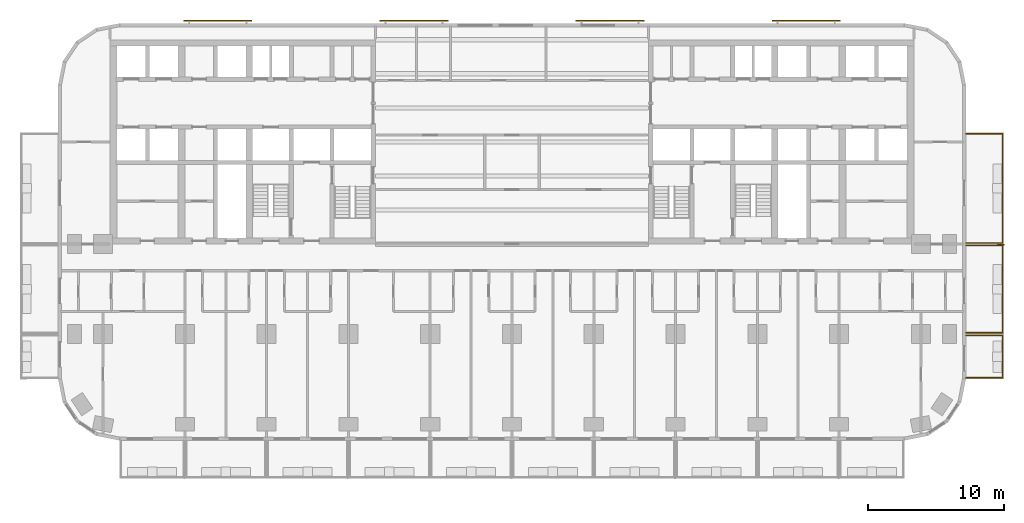
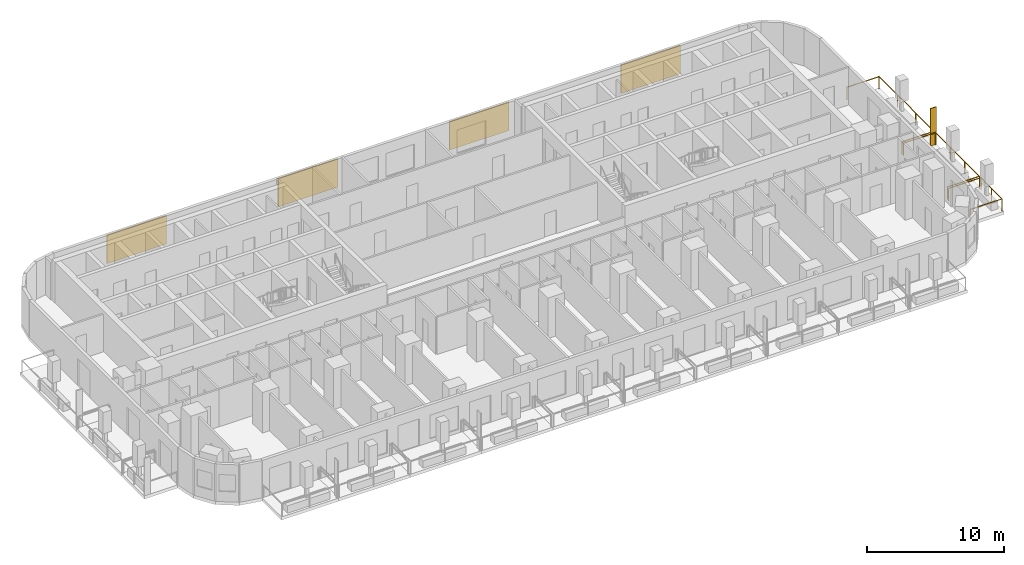
# One storey, part 14 of 15: 5 shading devices, 3 railings.
"""IFC4 building model written with IfcOpenShell, lengths in metres."""

import ifcopenshell
import ifcopenshell.guid

model = None  # the IFC model being written
_history = None  # IfcOwnerHistory: only IFC2X3 demands one
_inside = {}  # id of a spatial element -> (the spatial element, [elements in it])
_under = {}  # id of a project, library or spatial element -> (it, [spatial elements below it])
_declared = {}  # id of a project -> (the project, [libraries it declares])
_typed = {}  # id of a type object -> (the type object, [elements of that type])
_made_of = {}  # id of a material, layer set ... -> (it, [elements and type objects made of it])


def new_model(schema):
    """Start an empty IFC model of exactly this schema.

    Asked for "IFC4X3", IfcOpenShell would pick the latest addendum, in which some entities
    have other attributes; the version numbers below select the first issue.
    IFC2X3 requires an IfcOwnerHistory on every rooted entity: one is made here for all.
    """
    global model, _history
    if schema == "IFC4X3":
        model = ifcopenshell.file(schema_version=(4, 3, 0, 0))
    else:
        model = ifcopenshell.file(schema=schema)
    _inside.clear()
    _under.clear()
    _declared.clear()
    _typed.clear()
    _made_of.clear()
    _history = None
    if model.schema == "IFC2X3":
        org = make("IfcOrganization", Name="unknown")
        user = make(
            "IfcPersonAndOrganization",
            ThePerson=make("IfcPerson", FamilyName="unknown"),
            TheOrganization=org,
        )
        app = make(
            "IfcApplication",
            ApplicationDeveloper=org,
            Version="unknown",
            ApplicationFullName="unknown",
            ApplicationIdentifier="unknown",
        )
        _history = make(
            "IfcOwnerHistory",
            OwningUser=user,
            OwningApplication=app,
            ChangeAction="ADDED",
            CreationDate=0,
        )
    return model


def make(cls, **values):
    """One entity of the class cls with the attributes given. An attribute that is None is left unset."""
    return model.create_entity(
        cls, **{name: value for name, value in values.items() if value is not None}
    )


def rooted(cls, **values):
    """An entity with a GlobalId (a new one), such as an element, a storey or a relation."""
    return make(cls, GlobalId=ifcopenshell.guid.new(), OwnerHistory=_history, **values)


def si_unit(unit_type, name, prefix=None):
    """IfcSIUnit, for example si_unit("LENGTHUNIT", "METRE", prefix="MILLI")."""
    return make("IfcSIUnit", UnitType=unit_type, Prefix=prefix, Name=name)


def assignment(units):
    """IfcUnitAssignment: the units of a project."""
    return None if units is None else make("IfcUnitAssignment", Units=units)


def point(xyz):
    """IfcCartesianPoint."""
    return None if xyz is None else make("IfcCartesianPoint", Coordinates=xyz)


def direction(xyz):
    """IfcDirection."""
    return None if xyz is None else make("IfcDirection", DirectionRatios=xyz)


def frame(location, z_axis=None, x_axis=None):
    """IfcAxis2Placement3D, a coordinate frame: its origin and axes. An axis left out is left unset."""
    return make(
        "IfcAxis2Placement3D",
        Location=point(location),
        Axis=direction(z_axis),
        RefDirection=direction(x_axis),
    )


def frame_2d(location, x_axis=None):
    """IfcAxis2Placement2D, a coordinate frame in the plane: its origin and x axis."""
    return make(
        "IfcAxis2Placement2D", Location=point(location), RefDirection=direction(x_axis)
    )


def origin():
    """The frame at (0, 0, 0) with its axes left unset."""
    return frame((0.0, 0.0, 0.0))


def origin_2d():
    """The frame at (0, 0) in the plane with its x axis left unset."""
    return frame_2d((0.0, 0.0))


def place(relative_to, where):
    """IfcLocalPlacement: puts the frame where relative to a parent placement (None: the world)."""
    return make(
        "IfcLocalPlacement", PlacementRelTo=relative_to, RelativePlacement=where
    )


def context(
    kind, dimensions, precision=None, world=None, true_north=None, identifier=None
):
    """IfcGeometricRepresentationContext, for example the 3D "Model" context."""
    return make(
        "IfcGeometricRepresentationContext",
        ContextIdentifier=identifier,
        ContextType=kind,
        CoordinateSpaceDimension=dimensions,
        Precision=precision,
        WorldCoordinateSystem=world,
        TrueNorth=true_north,
    )


def subcontext(parent, identifier, kind, view, scale=None):
    """IfcGeometricRepresentationSubContext, for example "Body" below "Model"."""
    return make(
        "IfcGeometricRepresentationSubContext",
        ContextIdentifier=identifier,
        ContextType=kind,
        ParentContext=parent,
        TargetScale=scale,
        TargetView=view,
    )


def project(units=None, contexts=None):
    """IfcProject with its units and contexts."""
    return rooted(
        "IfcProject",
        Name="project",
        RepresentationContexts=contexts,
        UnitsInContext=assignment(units),
    )


def spatial(cls, under=None, at=None, **own):
    """A site, building, storey or space (cls), placed at a placement, below another one or the project."""
    s = rooted(cls, ObjectPlacement=at, **own)
    if under is not None:
        _under.setdefault(under.id(), (under, []))[1].append(s)
    return s


def profile(cls, at=None, kind="AREA", **sizes):
    """A parametric profile (cls). Its sizes go by their IFC names, for example OverallWidth=200.0."""
    return make(cls, ProfileType=kind, Position=at, **sizes)


def rectangle(**sizes):
    """IfcRectangleProfileDef."""
    return profile("IfcRectangleProfileDef", **sizes)


def circle(**sizes):
    """IfcCircleProfileDef."""
    return profile("IfcCircleProfileDef", **sizes)


def extrude(swept, where, along, depth):
    """IfcExtrudedAreaSolid: the profile swept, set in the frame where, extruded along a direction by depth."""
    return make(
        "IfcExtrudedAreaSolid",
        SweptArea=swept,
        Position=where,
        ExtrudedDirection=direction(along),
        Depth=depth,
    )


def shape(context_of_items, identifier, shape_type, items):
    """IfcShapeRepresentation: the items that make up one representation, for example the "Body"."""
    return make(
        "IfcShapeRepresentation",
        ContextOfItems=context_of_items,
        RepresentationIdentifier=identifier,
        RepresentationType=shape_type,
        Items=items,
    )


def material(Name=None, Category=None):
    """IfcMaterial."""
    return make("IfcMaterial", Name=Name, Category=Category)


def layer(
    of_material, thickness, ventilated=None, Name=None, Category=None, Priority=None
):
    """IfcMaterialLayer: one layer of a wall or slab, of a material (None: an air gap)."""
    return make(
        "IfcMaterialLayer",
        Material=of_material,
        LayerThickness=thickness,
        IsVentilated=ventilated,
        Name=Name,
        Category=Category,
        Priority=Priority,
    )


def layer_set(layers, Name=None):
    """IfcMaterialLayerSet."""
    return make("IfcMaterialLayerSet", MaterialLayers=layers, LayerSetName=Name)


def made_of(thing, what):
    """Note that an element or type object is made of a material, layer set ...; save() writes the relation."""
    if what is not None:
        _made_of.setdefault(what.id(), (what, []))[1].append(thing)
    return thing


def type_object(cls, material=None, **own):
    """A type object (cls), such as IfcWallType, which elements share."""
    return made_of(rooted(cls, **own), material)


def element(
    cls,
    number,
    at=None,
    inside=None,
    cuts=None,
    type_object=None,
    material=None,
    context=None,
    identifier="Body",
    shape_type=None,
    held_by="IfcProductDefinitionShape",
    body=None,
    shapes=None,
    **own,
):
    """One element of the class cls, such as IfcWall. Its Tag is "e" and its number.

    at: its placement. inside: the storey or other place that contains it. cuts: it is an
    opening in that element (IfcRelVoidsElement). A single representation is given by context,
    identifier, shape_type and body (its items); several are given by shapes. held_by: the class
    of the entity that holds the representations. save() writes the other relations.
    """
    e = rooted(cls, Tag="e%d" % number, ObjectPlacement=at, **own)
    if body is not None:
        shapes = [shape(context, identifier, shape_type, body)]
    if shapes is not None:
        e.Representation = make(held_by, Representations=shapes)
    if inside is not None:
        _inside.setdefault(inside.id(), (inside, []))[1].append(e)
    if cuts is not None:
        rooted(
            "IfcRelVoidsElement", RelatingBuildingElement=cuts, RelatedOpeningElement=e
        )
    if type_object is not None:
        _typed.setdefault(type_object.id(), (type_object, []))[1].append(e)
    return made_of(e, material)


def aggregate(whole, parts):
    """IfcRelAggregates: a whole, such as a stair, and the parts it consists of."""
    return rooted("IfcRelAggregates", RelatingObject=whole, RelatedObjects=parts)


def save(model, path):
    """Write the relations noted so far, then the file.

    IfcRelAggregates (storeys below a building ...), IfcRelContainedInSpatialStructure (elements
    in a storey), IfcRelDefinesByType, IfcRelAssociatesMaterial and IfcRelDeclares: one each for
    every whole, place, type object, material and project.
    """
    for whole, parts in _under.values():
        aggregate(whole, parts)
    for where, things in _inside.values():
        rooted(
            "IfcRelContainedInSpatialStructure",
            RelatedElements=things,
            RelatingStructure=where,
        )
    for kind, things in _typed.values():
        rooted("IfcRelDefinesByType", RelatedObjects=things, RelatingType=kind)
    for what, things in _made_of.values():
        rooted("IfcRelAssociatesMaterial", RelatedObjects=things, RelatingMaterial=what)
    for by, libraries in _declared.values():
        rooted("IfcRelDeclares", RelatingContext=by, RelatedDefinitions=libraries)
    model.write(path)


model = new_model("IFC4")

# Units and contexts
model_context = context("Model", 3, precision=1e-05, world=origin(), true_north=direction((0.0, 1.0)))
body_context = subcontext(model_context, "Body", "Model", "MODEL_VIEW")
ifc_project = project(units=[si_unit("LENGTHUNIT", "METRE"), si_unit("AREAUNIT", "SQUARE_METRE"), si_unit("VOLUMEUNIT", "CUBIC_METRE"), si_unit("PLANEANGLEUNIT", "RADIAN"), si_unit("MASSUNIT", "GRAM", prefix="KILO")], contexts=[model_context])

# Site, building, storey
site_placement = place(None, origin())
site = spatial("IfcSite", under=ifc_project, at=site_placement, CompositionType="ELEMENT")
building_placement = place(site_placement, origin())
building = spatial("IfcBuilding", under=site, at=building_placement, Name="Torana Hotel and Residences", CompositionType="ELEMENT")
storey_placement = place(building_placement, frame((0.0, 0.0, 27.60009765625)))
storey = spatial("IfcBuildingStorey", under=building, at=storey_placement, Name="L05", CompositionType="ELEMENT", Elevation=27.60009765625)

# Shading device
ifc_material_1 = material(Name="Black powder coated aluminium", Category="aluminium")
ifc_layer_1 = layer(ifc_material_1, 0.080078125)
ifc_layer_set_1 = layer_set([ifc_layer_1], Name="FN1 VERTICAL FIN 500x80")
shading_device_type_1 = type_object("IfcShadingDeviceType", Name="FN1 VERTICAL FIN 500x80", PredefinedType="USERDEFINED", material=ifc_layer_set_1)
shading_device_placement = place(storey_placement, frame((35.85009765625, -15.0400390625, 0.0), z_axis=(0.0, 0.0, 1.0), x_axis=(0.0, -1.0, 0.0)))
element("IfcShadingDevice", 1, at=shading_device_placement, inside=storey, type_object=shading_device_type_1, Name="Fin 15", ObjectType="FIN", PredefinedType="USERDEFINED", context=body_context, shape_type="SweptSolid", body=[
    extrude(rectangle(XDim=0.080078125, YDim=0.5, at=origin_2d()), origin(), (0.0, 0.0, 1.0), 3.320068359375),
])

# Railings
ifc_material_2 = material(Name="Laminated glass balustrade with black handrail", Category="glass")
railing_type = type_object("IfcRailingType", Name="GR1 BALCONY GUARD 1100 GLASS", PredefinedType="GUARDRAIL", material=ifc_material_2)
railing_1_placement = place(storey_placement, frame((33.300048828125, -21.699951171875, 0.0)))
element("IfcRailing", 2, at=railing_1_placement, inside=storey, type_object=railing_type, Name="Balcony guard 14", PredefinedType="GUARDRAIL", context=body_context, shape_type="SweptSolid", body=[
    extrude(circle(Radius=0.02392578125, at=origin_2d()), frame((0.0, 0.0, 1.076171875), z_axis=(1.0, 0.0, 0.0), x_axis=(0.0, 1.0, 0.0)), (0.0, 0.0, 1.0), 2.699951171875),
    extrude(circle(Radius=0.02392578125, at=origin_2d()), frame((2.699951171875, 0.0, 1.076171875), z_axis=(0.0, -1.0, 0.0), x_axis=(1.0, 0.0, 0.0)), (0.0, 0.0, 1.0), 3.10009765625),
    extrude(circle(Radius=0.02392578125, at=origin_2d()), frame((2.699951171875, -3.10009765625, 1.076171875), z_axis=(-1.0, 0.0, 0.0), x_axis=(0.0, -1.0, 0.0)), (0.0, 0.0, 1.0), 2.699951171875),
    extrude(circle(Radius=0.02099609375, at=origin_2d()), origin(), (0.0, 0.0, 1.0), 1.052001953125),
    extrude(circle(Radius=0.02099609375, at=origin_2d()), frame((2.699951171875, 0.0, 0.0)), (0.0, 0.0, 1.0), 1.052001953125),
    extrude(circle(Radius=0.02099609375, at=origin_2d()), frame((2.699951171875, -1.550048828125, 0.0)), (0.0, 0.0, 1.0), 1.052001953125),
    extrude(circle(Radius=0.02099609375, at=origin_2d()), frame((2.699951171875, -3.10009765625, 0.0)), (0.0, 0.0, 1.0), 1.052001953125),
    extrude(circle(Radius=0.02099609375, at=origin_2d()), frame((0.0, -3.10009765625, 0.0)), (0.0, 0.0, 1.0), 1.052001953125),
])
railing_2_placement = place(storey_placement, frame((33.300048828125, -15.10009765625, 0.0)))
element("IfcRailing", 3, at=railing_2_placement, inside=storey, type_object=railing_type, Name="Balcony guard 15", PredefinedType="GUARDRAIL", context=body_context, shape_type="SweptSolid", body=[
    extrude(circle(Radius=0.02392578125, at=origin_2d()), frame((0.0, 0.0, 1.076171875), z_axis=(1.0, 0.0, 0.0), x_axis=(0.0, 1.0, 0.0)), (0.0, 0.0, 1.0), 2.699951171875),
    extrude(circle(Radius=0.02392578125, at=origin_2d()), frame((2.699951171875, 0.0, 1.076171875), z_axis=(0.0, -1.0, 0.0), x_axis=(1.0, 0.0, 0.0)), (0.0, 0.0, 1.0), 6.39990234375),
    extrude(circle(Radius=0.02392578125, at=origin_2d()), frame((2.699951171875, -6.39990234375, 1.076171875), z_axis=(-1.0, 0.0, 0.0), x_axis=(0.0, -1.0, 0.0)), (0.0, 0.0, 1.0), 2.699951171875),
    extrude(circle(Radius=0.02099609375, at=origin_2d()), origin(), (0.0, 0.0, 1.0), 1.052001953125),
    extrude(circle(Radius=0.02099609375, at=origin_2d()), frame((2.699951171875, 0.0, 0.0)), (0.0, 0.0, 1.0), 1.052001953125),
    extrude(circle(Radius=0.02099609375, at=origin_2d()), frame((2.699951171875, -2.13330078125, 0.0)), (0.0, 0.0, 1.0), 1.052001953125),
    extrude(circle(Radius=0.02099609375, at=origin_2d()), frame((2.699951171875, -4.2666015625, 0.0)), (0.0, 0.0, 1.0), 1.052001953125),
    extrude(circle(Radius=0.02099609375, at=origin_2d()), frame((2.699951171875, -6.39990234375, 0.0)), (0.0, 0.0, 1.0), 1.052001953125),
    extrude(circle(Radius=0.02099609375, at=origin_2d()), frame((0.0, -6.39990234375, 0.0)), (0.0, 0.0, 1.0), 1.052001953125),
])
railing_3_placement = place(storey_placement, frame((33.300048828125, -6.89990234375, 0.0)))
element("IfcRailing", 4, at=railing_3_placement, inside=storey, type_object=railing_type, Name="Balcony guard 16", PredefinedType="GUARDRAIL", context=body_context, shape_type="SweptSolid", body=[
    extrude(circle(Radius=0.02392578125, at=origin_2d()), frame((0.0, 0.0, 1.076171875), z_axis=(1.0, 0.0, 0.0), x_axis=(0.0, 1.0, 0.0)), (0.0, 0.0, 1.0), 2.699951171875),
    extrude(circle(Radius=0.02392578125, at=origin_2d()), frame((2.699951171875, 0.0, 1.076171875), z_axis=(0.0, -1.0, 0.0), x_axis=(1.0, 0.0, 0.0)), (0.0, 0.0, 1.0), 8.0),
    extrude(circle(Radius=0.02392578125, at=origin_2d()), frame((2.699951171875, -8.0, 1.076171875), z_axis=(-1.0, 0.0, 0.0), x_axis=(0.0, -1.0, 0.0)), (0.0, 0.0, 1.0), 2.699951171875),
    extrude(circle(Radius=0.02099609375, at=origin_2d()), origin(), (0.0, 0.0, 1.0), 1.052001953125),
    extrude(circle(Radius=0.02099609375, at=origin_2d()), frame((2.699951171875, 0.0, 0.0)), (0.0, 0.0, 1.0), 1.052001953125),
    extrude(circle(Radius=0.02099609375, at=origin_2d()), frame((2.699951171875, -2.666748046875, 0.0)), (0.0, 0.0, 1.0), 1.052001953125),
    extrude(circle(Radius=0.02099609375, at=origin_2d()), frame((2.699951171875, -5.333251953125, 0.0)), (0.0, 0.0, 1.0), 1.052001953125),
    extrude(circle(Radius=0.02099609375, at=origin_2d()), frame((2.699951171875, -8.0, 0.0)), (0.0, 0.0, 1.0), 1.052001953125),
    extrude(circle(Radius=0.02099609375, at=origin_2d()), frame((0.0, -8.0, 0.0)), (0.0, 0.0, 1.0), 1.052001953125),
])

# Shading devices
ifc_material_3 = material(Name="Concrete C40/50 precast", Category="concrete")
ifc_layer_2 = layer(ifc_material_3, 0.10009765625)
ifc_layer_set_2 = layer_set([ifc_layer_2], Name="SC1 PERFORATED BLOCK SCREEN PANEL 100")
shading_device_type_2 = type_object("IfcShadingDeviceType", Name="SC1 PERFORATED BLOCK SCREEN PANEL 100", PredefinedType="USERDEFINED", material=ifc_layer_set_2)
for number, where, z_axis, x_axis, name in (
    (5, (21.58154296875, 1.39990234375, 0.5), (0.0, 0.0, 1.0), (-1.0, 0.0, 0.0), "Perforated block screen L05"),
    (6, (7.19384765625, 1.39990234375, 0.5), (0.0, 0.0, 1.0), (-1.0, 0.0, 0.0), "Perforated block screen L05"),
    (7, (-7.19384765625, 1.39990234375, 0.5), (0.0, 0.0, 1.0), (-1.0, 0.0, 0.0), "Perforated block screen L05"),
    (8, (-21.58154296875, 1.39990234375, 0.5), (0.0, 0.0, 1.0), (-1.0, 0.0, 0.0), "Perforated block screen L05"),
):
    element("IfcShadingDevice", number, at=place(storey_placement, frame(where, z_axis=z_axis, x_axis=x_axis)), inside=storey, type_object=shading_device_type_2, Name=name, ObjectType="SCREEN", PredefinedType="USERDEFINED", context=body_context, shape_type="SweptSolid", body=[
        extrude(rectangle(XDim=5.0, YDim=0.10009765625, at=origin_2d()), origin(), (0.0, 0.0, 1.0), 2.52001953125),
    ])

save(model, "model.ifc")
